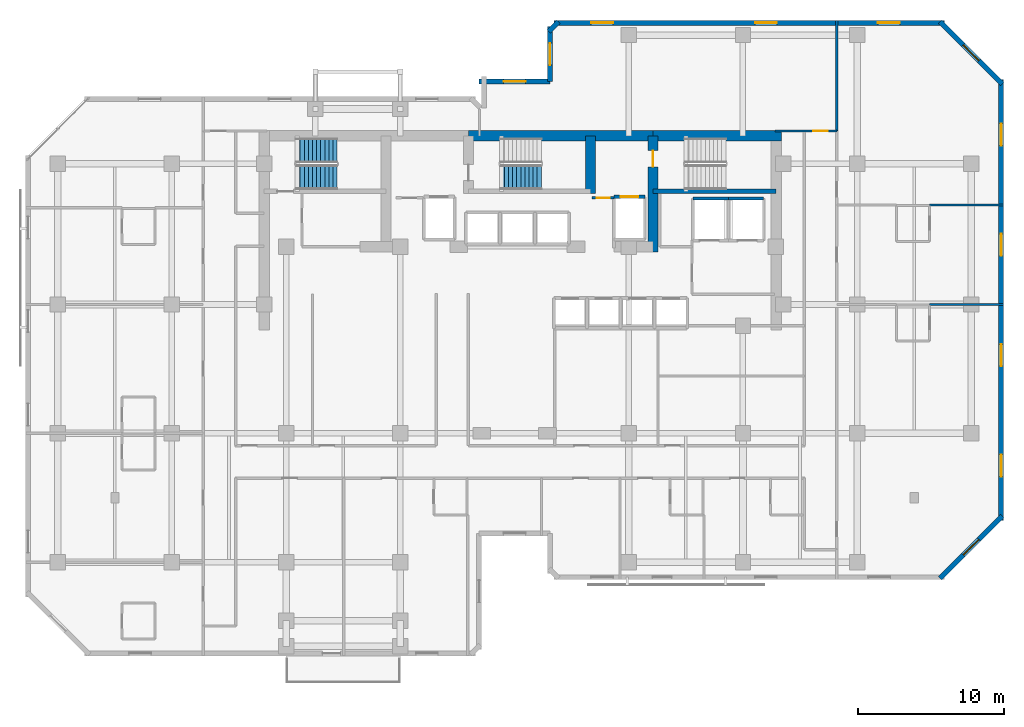
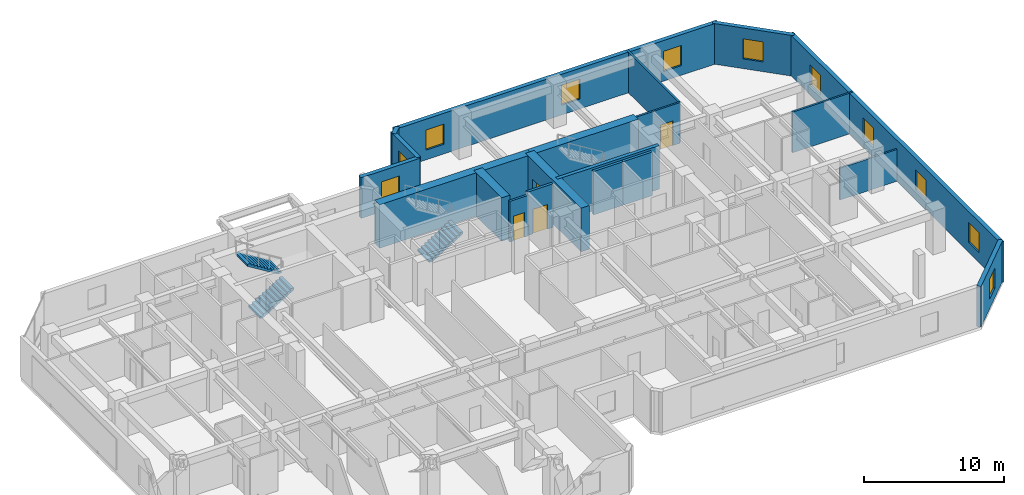
# One storey, part 8 of 11: 20 walls, 11 windows, 4 doors, 3 stair flights, 15 openings, 2 elements without a shape of their own.
"""IFC4 building model written with IfcOpenShell, lengths in metres."""

from ifc_helpers import new_model, si_unit, direction, frame, frame_2d, origin, place, context, subcontext, project, spatial, polyline, rectangle, outline, extrude, material, layer, layer_set, type_object, element, fill, aggregate, save


model = new_model("IFC4")

# Units and contexts
model_context = context("Model", 3, precision=1e-05, world=origin(), true_north=direction((0.0, 1.0)))
body_context = subcontext(model_context, "Body", "Model", "MODEL_VIEW")
ifc_project = project(units=[si_unit("LENGTHUNIT", "METRE"), si_unit("AREAUNIT", "SQUARE_METRE"), si_unit("VOLUMEUNIT", "CUBIC_METRE"), si_unit("PLANEANGLEUNIT", "RADIAN"), si_unit("MASSUNIT", "GRAM", prefix="KILO")], contexts=[model_context])

# Site, building, storey
site_placement = place(None, origin())
site = spatial("IfcSite", under=ifc_project, at=site_placement, CompositionType="ELEMENT")
building_placement = place(site_placement, origin())
building = spatial("IfcBuilding", under=site, at=building_placement, Name="Kestravale Grand Hotel", CompositionType="ELEMENT")
storey_placement = place(building_placement, frame((0.0, 0.0, 172.60009765625)))
storey = spatial("IfcBuildingStorey", under=building, at=storey_placement, Name="L43", CompositionType="ELEMENT", Elevation=172.60009765625)

# Walls
ifc_material_1 = material(Name="Concrete f'c 60 MPa", Category="concrete")
ifc_layer_1 = layer(ifc_material_1, 0.699951171875)
ifc_layer_set_1 = layer_set([ifc_layer_1], Name="EW-CORE-700")
wall_type_1 = type_object("IfcWallType", Name="EW-CORE-700", PredefinedType="SHEAR", material=ifc_layer_set_1)
wall_1_placement = place(storey_placement, frame((35.85009765625, 40.320068359375, 0.0), z_axis=(0.0, 0.0, 1.0), x_axis=(1.0, 0.0, 0.0)))
element("IfcWall", 1, at=wall_1_placement, inside=storey, type_object=wall_type_1, Name="L43 core shear wall N2", PredefinedType="SHEAR", context=body_context, shape_type="SweptSolid", body=[
    extrude(rectangle(XDim=12.599853515625, YDim=0.699951171875, at=frame_2d((6.2998046875, 0.0))), origin(), (0.0, 0.0, 1.0), 3.7998046875),
])
wall_2_placement = place(storey_placement, frame((48.449951171875, 40.320068359375, 0.0), z_axis=(0.0, 0.0, 1.0), x_axis=(1.0, 0.0, 0.0)))
element("IfcWall", 2, at=wall_2_placement, inside=storey, type_object=wall_type_1, Name="L43 core shear wall N3", PredefinedType="SHEAR", context=body_context, shape_type="SweptSolid", body=[
    extrude(rectangle(XDim=8.77001953125, YDim=0.699951171875, at=frame_2d((4.385009765625, 0.0))), origin(), (0.0, 0.0, 1.0), 3.7998046875),
])
wall_3_placement = place(storey_placement, frame((44.179931640625, 36.3701171875, 0.0), z_axis=(0.0, 0.0, 1.0), x_axis=(0.0, 1.0, 0.0)))
element("IfcWall", 3, at=wall_3_placement, inside=storey, type_object=wall_type_1, Name="L43 core shear wall X3", PredefinedType="SHEAR", context=body_context, shape_type="SweptSolid", body=[
    extrude(rectangle(XDim=3.949951171875, YDim=0.699951171875, at=frame_2d((1.97509765625, 0.0))), origin(), (0.0, 0.0, 1.0), 3.7998046875),
])

# Wall, opening, door
wall_4_placement = place(storey_placement, frame((48.449951171875, 32.39990234375, 0.0), z_axis=(0.0, 0.0, 1.0), x_axis=(0.0, 1.0, 0.0)))
wall_4 = element("IfcWall", 4, at=wall_4_placement, inside=storey, type_object=wall_type_1, Name="L43 core shear wall X4", PredefinedType="SHEAR", context=body_context, shape_type="SweptSolid", body=[
    extrude(rectangle(XDim=7.920166015625, YDim=0.699951171875, at=frame_2d((3.9599609375, 0.0))), origin(), (0.0, 0.0, 1.0), 3.7998046875),
])
opening_1_placement = place(wall_4_placement, frame((5.800048828125, 0.0, 0.0)))
opening_1 = element("IfcOpeningElement", 5, at=opening_1_placement, cuts=wall_4, Name="Opening D-ST-1100", PredefinedType="OPENING", context=body_context, shape_type="SweptSolid", body=[
    extrude(rectangle(XDim=1.10009765625, YDim=2.14990234375, at=frame_2d((0.550048828125, 1.074951171875))), frame((0.0, 0.35986328125, 0.0), z_axis=(0.0, -1.0, 0.0), x_axis=(1.0, 0.0, 0.0)), (0.0, 0.0, 1.0), 0.719970703125),
])
ifc_material_2 = material(Name="Galvanised 90-minute fire-rated steel stair door", Category="steel")
door_type_1 = type_object("IfcDoorType", Name="D-ST-1100", OperationType="NOTDEFINED", PredefinedType="DOOR", material=ifc_material_2)
door_1_placement = place(opening_1_placement, origin())
door_1 = element("IfcDoor", 6, at=door_1_placement, inside=storey, type_object=door_type_1, Name="L43 Stair ST-3 FSAE fire door", OperationType="SINGLE_SWING_RIGHT", OverallHeight=2.14990234375, OverallWidth=1.10009765625, PredefinedType="DOOR", context=body_context, shape_type="SweptSolid", body=[
    extrude(rectangle(XDim=1.10009765625, YDim=2.14990234375, at=frame_2d((0.550048828125, 1.074951171875))), frame((0.0, 0.02490234375, 0.0), z_axis=(0.0, -1.0, 0.0), x_axis=(1.0, 0.0, 0.0)), (0.0, 0.0, 1.0), 0.050048828125),
])
fill(opening_1, door_1)

# Wall, opening, window
ifc_material_3 = material(Name="Precast concrete f'c 45 MPa", Category="concrete")
ifc_layer_2 = layer(ifc_material_3, 0.340087890625)
ifc_layer_set_2 = layer_set([ifc_layer_2], Name="EW-PREC-340")
wall_type_2 = type_object("IfcWallType", Name="EW-PREC-340", PredefinedType="SOLIDWALL", material=ifc_layer_set_2)
wall_5_placement = place(storey_placement, frame((68.051513671875, 10.091796875, 0.0), z_axis=(0.0, 0.0, 1.0), x_axis=(0.707106781187, 0.707106781187, 0.0)))
wall_5 = element("IfcWall", 7, at=wall_5_placement, inside=storey, type_object=wall_type_2, Name="L43 fluted precast facade wall 8", PredefinedType="SOLIDWALL", context=body_context, shape_type="SweptSolid", body=[
    extrude(rectangle(XDim=6.019775390625, YDim=0.340087890625, at=frame_2d((3.009765625, 0.0))), origin(), (0.0, 0.0, 1.0), 3.5498046875),
])
opening_2_placement = place(wall_5_placement, frame((2.260009765625, 0.0, 0.85009765625)))
opening_2 = element("IfcOpeningElement", 8, at=opening_2_placement, cuts=wall_5, Name="Opening W-GUEST-1500", PredefinedType="OPENING", context=body_context, shape_type="SweptSolid", body=[
    extrude(rectangle(XDim=1.5, YDim=1.75, at=frame_2d((0.75, 0.875))), frame((0.0, 0.179931640625, 0.0), z_axis=(0.0, -1.0, 0.0), x_axis=(1.0, 0.0, 0.0)), (0.0, 0.0, 1.0), 0.360107421875),
])
ifc_material_4 = material(Name="Insulated low-E double glazing in aluminium frame", Category="aluminium")
window_type = type_object("IfcWindowType", Name="W-GUEST-1500", PartitioningType="SINGLE_PANEL", PredefinedType="WINDOW", material=ifc_material_4)
window_1_placement = place(opening_2_placement, origin())
window_1 = element("IfcWindow", 9, at=window_1_placement, inside=storey, type_object=window_type, Name="L43 exterior window 8.1", OverallHeight=1.75, OverallWidth=1.5, PartitioningType="SINGLE_PANEL", PredefinedType="WINDOW", context=body_context, shape_type="SweptSolid", body=[
    extrude(rectangle(XDim=1.5, YDim=1.75, at=frame_2d((0.75, 0.875))), frame((0.0, 0.030029296875, 0.0), z_axis=(0.0, -1.0, 0.0), x_axis=(1.0, 0.0, 0.0)), (0.0, 0.0, 1.0), 0.06005859375),
])
fill(opening_2, window_1)

# Wall, openings, windows
wall_6_placement = place(storey_placement, frame((72.22998046875, 14.030029296875, 0.0), z_axis=(0.0, 0.0, 1.0), x_axis=(0.0, 1.0, 0.0)))
wall_6 = element("IfcWall", 10, at=wall_6_placement, inside=storey, type_object=wall_type_2, Name="L43 fluted precast facade wall 9", PredefinedType="SOLIDWALL", context=body_context, shape_type="SweptSolid", body=[
    extrude(rectangle(XDim=30.139892578125, YDim=0.340087890625, at=frame_2d((15.06982421875, 0.0))), origin(), (0.0, 0.0, 1.0), 3.5498046875),
])
opening_3_placement = place(wall_6_placement, frame((3.017578125, 0.0, 0.85009765625)))
opening_3 = element("IfcOpeningElement", 11, at=opening_3_placement, cuts=wall_6, Name="Opening W-GUEST-1500", PredefinedType="OPENING", context=body_context, shape_type="SweptSolid", body=[
    extrude(rectangle(XDim=1.5, YDim=1.75, at=frame_2d((0.75, 0.875))), frame((0.0, 0.179931640625, 0.0), z_axis=(0.0, -1.0, 0.0), x_axis=(1.0, 0.0, 0.0)), (0.0, 0.0, 1.0), 0.360107421875),
])
opening_4_placement = place(wall_6_placement, frame((10.552490234375, 0.0, 0.85009765625)))
opening_4 = element("IfcOpeningElement", 12, at=opening_4_placement, cuts=wall_6, Name="Opening W-GUEST-1500", PredefinedType="OPENING", context=body_context, shape_type="SweptSolid", body=[
    extrude(rectangle(XDim=1.5, YDim=1.75, at=frame_2d((0.75, 0.875))), frame((0.0, 0.179931640625, 0.0), z_axis=(0.0, -1.0, 0.0), x_axis=(1.0, 0.0, 0.0)), (0.0, 0.0, 1.0), 0.360107421875),
])
opening_5_placement = place(wall_6_placement, frame((18.08740234375, 0.0, 0.85009765625)))
opening_5 = element("IfcOpeningElement", 13, at=opening_5_placement, cuts=wall_6, Name="Opening W-GUEST-1500", PredefinedType="OPENING", context=body_context, shape_type="SweptSolid", body=[
    extrude(rectangle(XDim=1.5, YDim=1.75, at=frame_2d((0.75, 0.875))), frame((0.0, 0.179931640625, 0.0), z_axis=(0.0, -1.0, 0.0), x_axis=(1.0, 0.0, 0.0)), (0.0, 0.0, 1.0), 0.360107421875),
])
opening_6_placement = place(wall_6_placement, frame((25.62255859375, 0.0, 0.85009765625)))
opening_6 = element("IfcOpeningElement", 14, at=opening_6_placement, cuts=wall_6, Name="Opening W-GUEST-1500", PredefinedType="OPENING", context=body_context, shape_type="SweptSolid", body=[
    extrude(rectangle(XDim=1.5, YDim=1.75, at=frame_2d((0.75, 0.875))), frame((0.0, 0.179931640625, 0.0), z_axis=(0.0, -1.0, 0.0), x_axis=(1.0, 0.0, 0.0)), (0.0, 0.0, 1.0), 0.360107421875),
])
window_2_placement = place(opening_3_placement, origin())
window_2 = element("IfcWindow", 15, at=window_2_placement, inside=storey, type_object=window_type, Name="L43 exterior window 9.1", OverallHeight=1.75, OverallWidth=1.5, PartitioningType="SINGLE_PANEL", PredefinedType="WINDOW", context=body_context, shape_type="SweptSolid", body=[
    extrude(rectangle(XDim=1.5, YDim=1.75, at=frame_2d((0.75, 0.875))), frame((0.0, 0.030029296875, 0.0), z_axis=(0.0, -1.0, 0.0), x_axis=(1.0, 0.0, 0.0)), (0.0, 0.0, 1.0), 0.06005859375),
])
fill(opening_3, window_2)
window_3_placement = place(opening_4_placement, origin())
window_3 = element("IfcWindow", 16, at=window_3_placement, inside=storey, type_object=window_type, Name="L43 exterior window 9.2", OverallHeight=1.75, OverallWidth=1.5, PartitioningType="SINGLE_PANEL", PredefinedType="WINDOW", context=body_context, shape_type="SweptSolid", body=[
    extrude(rectangle(XDim=1.5, YDim=1.75, at=frame_2d((0.75, 0.875))), frame((0.0, 0.030029296875, 0.0), z_axis=(0.0, -1.0, 0.0), x_axis=(1.0, 0.0, 0.0)), (0.0, 0.0, 1.0), 0.06005859375),
])
fill(opening_4, window_3)
window_4_placement = place(opening_5_placement, origin())
window_4 = element("IfcWindow", 17, at=window_4_placement, inside=storey, type_object=window_type, Name="L43 exterior window 9.3", OverallHeight=1.75, OverallWidth=1.5, PartitioningType="SINGLE_PANEL", PredefinedType="WINDOW", context=body_context, shape_type="SweptSolid", body=[
    extrude(rectangle(XDim=1.5, YDim=1.75, at=frame_2d((0.75, 0.875))), frame((0.0, 0.030029296875, 0.0), z_axis=(0.0, -1.0, 0.0), x_axis=(1.0, 0.0, 0.0)), (0.0, 0.0, 1.0), 0.06005859375),
])
fill(opening_5, window_4)
window_5_placement = place(opening_6_placement, origin())
window_5 = element("IfcWindow", 18, at=window_5_placement, inside=storey, type_object=window_type, Name="L43 exterior window 9.4", OverallHeight=1.75, OverallWidth=1.5, PartitioningType="SINGLE_PANEL", PredefinedType="WINDOW", context=body_context, shape_type="SweptSolid", body=[
    extrude(rectangle(XDim=1.5, YDim=1.75, at=frame_2d((0.75, 0.875))), frame((0.0, 0.030029296875, 0.0), z_axis=(0.0, -1.0, 0.0), x_axis=(1.0, 0.0, 0.0)), (0.0, 0.0, 1.0), 0.06005859375),
])
fill(opening_6, window_5)

# Wall, opening, window
wall_7_placement = place(storey_placement, frame((72.30810546875, 43.8515625, 0.0), z_axis=(0.0, 0.0, 1.0), x_axis=(-0.707106781187, 0.707106781187, 0.0)))
wall_7 = element("IfcWall", 19, at=wall_7_placement, inside=storey, type_object=wall_type_2, Name="L43 fluted precast facade wall 10", PredefinedType="SOLIDWALL", context=body_context, shape_type="SweptSolid", body=[
    extrude(rectangle(XDim=6.019775390625, YDim=0.340087890625, at=frame_2d((3.009765625, 0.0))), origin(), (0.0, 0.0, 1.0), 3.5498046875),
])
opening_7_placement = place(wall_7_placement, frame((2.260009765625, 0.0, 0.85009765625)))
opening_7 = element("IfcOpeningElement", 20, at=opening_7_placement, cuts=wall_7, Name="Opening W-GUEST-1500", PredefinedType="OPENING", context=body_context, shape_type="SweptSolid", body=[
    extrude(rectangle(XDim=1.5, YDim=1.75, at=frame_2d((0.75, 0.875))), frame((0.0, 0.179931640625, 0.0), z_axis=(0.0, -1.0, 0.0), x_axis=(1.0, 0.0, 0.0)), (0.0, 0.0, 1.0), 0.360107421875),
])
window_6_placement = place(opening_7_placement, origin())
window_6 = element("IfcWindow", 21, at=window_6_placement, inside=storey, type_object=window_type, Name="L43 exterior window 10.1", OverallHeight=1.75, OverallWidth=1.5, PartitioningType="SINGLE_PANEL", PredefinedType="WINDOW", context=body_context, shape_type="SweptSolid", body=[
    extrude(rectangle(XDim=1.5, YDim=1.75, at=frame_2d((0.75, 0.875))), frame((0.0, 0.030029296875, 0.0), z_axis=(0.0, -1.0, 0.0), x_axis=(1.0, 0.0, 0.0)), (0.0, 0.0, 1.0), 0.06005859375),
])
fill(opening_7, window_6)

# Wall, openings, windows
wall_8_placement = place(storey_placement, frame((68.3701171875, 48.030029296875, 0.0), z_axis=(0.0, 0.0, 1.0), x_axis=(-1.0, 0.0, 0.0)))
wall_8 = element("IfcWall", 22, at=wall_8_placement, inside=storey, type_object=wall_type_2, Name="L43 fluted precast facade wall 11", PredefinedType="SOLIDWALL", context=body_context, shape_type="SweptSolid", body=[
    extrude(rectangle(XDim=26.690185546875, YDim=0.340087890625, at=frame_2d((13.34521484375, 0.0))), origin(), (0.0, 0.0, 1.0), 3.5498046875),
])
opening_8_placement = place(wall_8_placement, frame((3.04833984375, 0.0, 0.85009765625)))
opening_8 = element("IfcOpeningElement", 23, at=opening_8_placement, cuts=wall_8, Name="Opening W-GUEST-1500", PredefinedType="OPENING", context=body_context, shape_type="SweptSolid", body=[
    extrude(rectangle(XDim=1.5, YDim=1.75, at=frame_2d((0.75, 0.875))), frame((0.0, 0.179931640625, 0.0), z_axis=(0.0, -1.0, 0.0), x_axis=(1.0, 0.0, 0.0)), (0.0, 0.0, 1.0), 0.360107421875),
])
opening_9_placement = place(wall_8_placement, frame((11.445068359375, 0.0, 0.85009765625)))
opening_9 = element("IfcOpeningElement", 24, at=opening_9_placement, cuts=wall_8, Name="Opening W-GUEST-1500", PredefinedType="OPENING", context=body_context, shape_type="SweptSolid", body=[
    extrude(rectangle(XDim=1.5, YDim=1.75, at=frame_2d((0.75, 0.875))), frame((0.0, 0.179931640625, 0.0), z_axis=(0.0, -1.0, 0.0), x_axis=(1.0, 0.0, 0.0)), (0.0, 0.0, 1.0), 0.360107421875),
])
opening_10_placement = place(wall_8_placement, frame((22.6416015625, 0.0, 0.85009765625)))
opening_10 = element("IfcOpeningElement", 25, at=opening_10_placement, cuts=wall_8, Name="Opening W-GUEST-1500", PredefinedType="OPENING", context=body_context, shape_type="SweptSolid", body=[
    extrude(rectangle(XDim=1.5, YDim=1.75, at=frame_2d((0.75, 0.875))), frame((0.0, 0.179931640625, 0.0), z_axis=(0.0, -1.0, 0.0), x_axis=(1.0, 0.0, 0.0)), (0.0, 0.0, 1.0), 0.360107421875),
])
window_7_placement = place(opening_8_placement, origin())
window_7 = element("IfcWindow", 26, at=window_7_placement, inside=storey, type_object=window_type, Name="L43 exterior window 11.1", OverallHeight=1.75, OverallWidth=1.5, PartitioningType="SINGLE_PANEL", PredefinedType="WINDOW", context=body_context, shape_type="SweptSolid", body=[
    extrude(rectangle(XDim=1.5, YDim=1.75, at=frame_2d((0.75, 0.875))), frame((0.0, 0.030029296875, 0.0), z_axis=(0.0, -1.0, 0.0), x_axis=(1.0, 0.0, 0.0)), (0.0, 0.0, 1.0), 0.06005859375),
])
fill(opening_8, window_7)
window_8_placement = place(opening_9_placement, origin())
window_8 = element("IfcWindow", 27, at=window_8_placement, inside=storey, type_object=window_type, Name="L43 exterior window 11.2", OverallHeight=1.75, OverallWidth=1.5, PartitioningType="SINGLE_PANEL", PredefinedType="WINDOW", context=body_context, shape_type="SweptSolid", body=[
    extrude(rectangle(XDim=1.5, YDim=1.75, at=frame_2d((0.75, 0.875))), frame((0.0, 0.030029296875, 0.0), z_axis=(0.0, -1.0, 0.0), x_axis=(1.0, 0.0, 0.0)), (0.0, 0.0, 1.0), 0.06005859375),
])
fill(opening_9, window_8)
window_9_placement = place(opening_10_placement, origin())
window_9 = element("IfcWindow", 28, at=window_9_placement, inside=storey, type_object=window_type, Name="L43 exterior window 11.3", OverallHeight=1.75, OverallWidth=1.5, PartitioningType="SINGLE_PANEL", PredefinedType="WINDOW", context=body_context, shape_type="SweptSolid", body=[
    extrude(rectangle(XDim=1.5, YDim=1.75, at=frame_2d((0.75, 0.875))), frame((0.0, 0.030029296875, 0.0), z_axis=(0.0, -1.0, 0.0), x_axis=(1.0, 0.0, 0.0)), (0.0, 0.0, 1.0), 0.06005859375),
])
fill(opening_10, window_9)

# Wall
wall_9_placement = place(storey_placement, frame((41.99853515625, 48.108154296875, 0.0), z_axis=(0.0, 0.0, 1.0), x_axis=(-0.707106781187, -0.707106781187, 0.0)))
element("IfcWall", 29, at=wall_9_placement, inside=storey, type_object=wall_type_2, Name="L43 fluted precast facade wall 12", PredefinedType="SOLIDWALL", context=body_context, shape_type="SweptSolid", body=[
    extrude(rectangle(XDim=0.9287109375, YDim=0.340087890625, at=frame_2d((0.46435546875, 0.0))), origin(), (0.0, 0.0, 1.0), 3.5498046875),
])

# Wall, opening, window
wall_10_placement = place(storey_placement, frame((41.419921875, 47.77001953125, 0.0), z_axis=(0.0, 0.0, 1.0), x_axis=(0.0, -1.0, 0.0)))
wall_10 = element("IfcWall", 30, at=wall_10_placement, inside=storey, type_object=wall_type_2, Name="L43 fluted precast facade wall 13", PredefinedType="SOLIDWALL", context=body_context, shape_type="SweptSolid", body=[
    extrude(rectangle(XDim=3.739990234375, YDim=0.340087890625, at=frame_2d((1.8701171875, 0.0))), origin(), (0.0, 0.0, 1.0), 3.5498046875),
])
opening_11_placement = place(wall_10_placement, frame((1.1201171875, 0.0, 0.85009765625)))
opening_11 = element("IfcOpeningElement", 31, at=opening_11_placement, cuts=wall_10, Name="Opening W-GUEST-1500", PredefinedType="OPENING", context=body_context, shape_type="SweptSolid", body=[
    extrude(rectangle(XDim=1.5, YDim=1.75, at=frame_2d((0.75, 0.875))), frame((0.0, 0.179931640625, 0.0), z_axis=(0.0, -1.0, 0.0), x_axis=(1.0, 0.0, 0.0)), (0.0, 0.0, 1.0), 0.360107421875),
])
window_10_placement = place(opening_11_placement, origin())
window_10 = element("IfcWindow", 32, at=window_10_placement, inside=storey, type_object=window_type, Name="L43 exterior window 13.1", OverallHeight=1.75, OverallWidth=1.5, PartitioningType="SINGLE_PANEL", PredefinedType="WINDOW", context=body_context, shape_type="SweptSolid", body=[
    extrude(rectangle(XDim=1.5, YDim=1.75, at=frame_2d((0.75, 0.875))), frame((0.0, 0.030029296875, 0.0), z_axis=(0.0, -1.0, 0.0), x_axis=(1.0, 0.0, 0.0)), (0.0, 0.0, 1.0), 0.06005859375),
])
fill(opening_11, window_10)

wall_11_placement = place(storey_placement, frame((41.419921875, 44.030029296875, 0.0), z_axis=(0.0, 0.0, 1.0), x_axis=(-1.0, 0.0, 0.0)))
wall_11 = element("IfcWall", 33, at=wall_11_placement, inside=storey, type_object=wall_type_2, Name="L43 fluted precast facade wall 14", PredefinedType="SOLIDWALL", context=body_context, shape_type="SweptSolid", body=[
    extrude(rectangle(XDim=4.83984375, YDim=0.340087890625, at=frame_2d((2.419921875, 0.0))), origin(), (0.0, 0.0, 1.0), 3.5498046875),
])
opening_12_placement = place(wall_11_placement, frame((1.669921875, 0.0, 0.85009765625)))
opening_12 = element("IfcOpeningElement", 34, at=opening_12_placement, cuts=wall_11, Name="Opening W-GUEST-1500", PredefinedType="OPENING", context=body_context, shape_type="SweptSolid", body=[
    extrude(rectangle(XDim=1.5, YDim=1.75, at=frame_2d((0.75, 0.875))), frame((0.0, 0.179931640625, 0.0), z_axis=(0.0, -1.0, 0.0), x_axis=(1.0, 0.0, 0.0)), (0.0, 0.0, 1.0), 0.360107421875),
])
window_11_placement = place(opening_12_placement, origin())
window_11 = element("IfcWindow", 35, at=window_11_placement, inside=storey, type_object=window_type, Name="L43 exterior window 14.1", OverallHeight=1.75, OverallWidth=1.5, PartitioningType="SINGLE_PANEL", PredefinedType="WINDOW", context=body_context, shape_type="SweptSolid", body=[
    extrude(rectangle(XDim=1.5, YDim=1.75, at=frame_2d((0.75, 0.875))), frame((0.0, 0.030029296875, 0.0), z_axis=(0.0, -1.0, 0.0), x_axis=(1.0, 0.0, 0.0)), (0.0, 0.0, 1.0), 0.06005859375),
])
fill(opening_12, window_11)

# Wall
ifc_material_5 = material(Name="Concrete f'c 45 MPa", Category="concrete")
ifc_layer_3 = layer(ifc_material_5, 0.300048828125)
ifc_layer_set_3 = layer_set([ifc_layer_3], Name="EW-STAIR-300")
wall_type_3 = type_object("IfcWallType", Name="EW-STAIR-300", PredefinedType="SHEAR", material=ifc_layer_set_3)
wall_12_placement = place(storey_placement, frame((48.449951171875, 36.52001953125, 0.0), z_axis=(0.0, 0.0, 1.0), x_axis=(1.0, 0.0, 0.0)))
element("IfcWall", 36, at=wall_12_placement, inside=storey, type_object=wall_type_3, Name="L43 stair enclosure shear wall SST3", PredefinedType="SHEAR", context=body_context, shape_type="SweptSolid", body=[
    extrude(rectangle(XDim=8.420166015625, YDim=0.300048828125, at=frame_2d((4.2099609375, 0.0))), origin(), (0.0, 0.0, 1.0), 3.7998046875),
])

# Wall, opening, door
ifc_material_6 = material(Name="Fire-rated gypsum board on steel studs with mineral wool", Category="steel")
ifc_layer_4 = layer(ifc_material_6, 0.179931640625)
ifc_layer_set_4 = layer_set([ifc_layer_4], Name="IW-FSAE-180")
wall_type_4 = type_object("IfcWallType", Name="IW-FSAE-180", PredefinedType="PARTITIONING", material=ifc_layer_set_4)
wall_13_placement = place(storey_placement, frame((44.300048828125, 36.080078125, 0.0), z_axis=(0.0, 0.0, 1.0), x_axis=(1.0, 0.0, 0.0)))
wall_13 = element("IfcWall", 37, at=wall_13_placement, inside=storey, type_object=wall_type_4, Name="L43 FSAE Lobby 2 smoke barrier", PredefinedType="PARTITIONING", context=body_context, shape_type="SweptSolid", body=[
    extrude(rectangle(XDim=1.5, YDim=0.179931640625, at=frame_2d((0.75, 0.0))), origin(), (0.0, 0.0, 1.0), 3.5498046875),
])
opening_13_placement = place(wall_13_placement, frame((0.300048828125, 0.0, 0.0)))
opening_13 = element("IfcOpeningElement", 38, at=opening_13_placement, cuts=wall_13, Name="Opening D-FSAE-1000", PredefinedType="OPENING", context=body_context, shape_type="SweptSolid", body=[
    extrude(rectangle(XDim=0.89990234375, YDim=2.14990234375, at=frame_2d((0.449951171875, 1.074951171875))), frame((0.0, 0.099853515625, 0.0), z_axis=(0.0, -1.0, 0.0), x_axis=(1.0, 0.0, 0.0)), (0.0, 0.0, 1.0), 0.199951171875),
])
ifc_material_7 = material(Name="Smoke-gasketed FSAE lobby fire door", Category="steel")
door_type_2 = type_object("IfcDoorType", Name="D-FSAE-1000", OperationType="NOTDEFINED", PredefinedType="DOOR", material=ifc_material_7)
door_2_placement = place(opening_13_placement, origin())
door_2 = element("IfcDoor", 39, at=door_2_placement, inside=storey, type_object=door_type_2, Name="L43 FSAE Lobby 2 fire door", OperationType="SINGLE_SWING_LEFT", OverallHeight=2.14990234375, OverallWidth=0.89990234375, PredefinedType="DOOR", context=body_context, shape_type="SweptSolid", body=[
    extrude(rectangle(XDim=0.89990234375, YDim=2.14990234375, at=frame_2d((0.449951171875, 1.074951171875))), frame((0.0, 0.02490234375, 0.0), z_axis=(0.0, -1.0, 0.0), x_axis=(1.0, 0.0, 0.0)), (0.0, 0.0, 1.0), 0.050048828125),
])
fill(opening_13, door_2)

# Walls
ifc_material_8 = material(Name="Concrete f'c 45 MPa", Category="concrete")
ifc_layer_5 = layer(ifc_material_8, 0.219970703125)
ifc_layer_set_5 = layer_set([ifc_layer_5], Name="IW-SHAFT-220")
wall_type_5 = type_object("IfcWallType", Name="IW-SHAFT-220", PredefinedType="SHEAR", material=ifc_layer_set_5)
wall_14_placement = place(storey_placement, frame((51.179931640625, 36.030029296875, 0.0), z_axis=(0.0, 0.0, 1.0), x_axis=(1.0, 0.0, 0.0)))
element("IfcWall", 40, at=wall_14_placement, inside=storey, type_object=wall_type_5, Name="L43 SL-1 north shaft wall", PredefinedType="SHEAR", context=body_context, shape_type="SweptSolid", body=[
    extrude(rectangle(XDim=2.420166015625, YDim=0.219970703125, at=frame_2d((1.2099609375, 0.0))), origin(), (0.0, 0.0, 1.0), 3.7998046875),
])
wall_15_placement = place(storey_placement, frame((53.60009765625, 36.030029296875, 0.0), z_axis=(0.0, 0.0, 1.0), x_axis=(1.0, 0.0, 0.0)))
element("IfcWall", 41, at=wall_15_placement, inside=storey, type_object=wall_type_5, Name="L43 SL-2 north shaft wall", PredefinedType="SHEAR", context=body_context, shape_type="SweptSolid", body=[
    extrude(rectangle(XDim=2.419921875, YDim=0.219970703125, at=frame_2d((1.2099609375, 0.0))), origin(), (0.0, 0.0, 1.0), 3.7998046875),
])

# Wall, opening, door
wall_16_placement = place(storey_placement, frame((45.804931640625, 36.155029296875, 0.0), z_axis=(0.0, 0.0, 1.0), x_axis=(1.0, 0.0, 0.0)))
wall_16 = element("IfcWall", 42, at=wall_16_placement, inside=storey, type_object=wall_type_5, Name="L43 FL-2 north shaft wall", PredefinedType="SHEAR", context=body_context, shape_type="SweptSolid", body=[
    extrude(rectangle(XDim=2.090087890625, YDim=0.219970703125, at=frame_2d((1.044921875, 0.0))), origin(), (0.0, 0.0, 1.0), 3.7998046875),
])
opening_14_placement = place(wall_16_placement, frame((0.445068359375, 0.0, 0.0)))
opening_14 = element("IfcOpeningElement", 43, at=opening_14_placement, cuts=wall_16, Name="Opening LD-FSAE-1200", PredefinedType="OPENING", context=body_context, shape_type="SweptSolid", body=[
    extrude(rectangle(XDim=1.199951171875, YDim=2.14990234375, at=frame_2d((0.60009765625, 1.074951171875))), frame((0.0, 0.119873046875, 0.0), z_axis=(0.0, -1.0, 0.0), x_axis=(1.0, 0.0, 0.0)), (0.0, 0.0, 1.0), 0.239990234375),
])
ifc_material_9 = material(Name="Stainless fire-service sliding elevator landing door", Category="steel")
door_type_3 = type_object("IfcDoorType", Name="LD-FSAE-1200", OperationType="NOTDEFINED", PredefinedType="DOOR", material=ifc_material_9)
door_3_placement = place(opening_14_placement, origin())
door_3 = element("IfcDoor", 44, at=door_3_placement, inside=storey, type_object=door_type_3, Name="L43 FL-2 elevator landing sliding door", OperationType="DOUBLE_DOOR_SLIDING", OverallHeight=2.14990234375, OverallWidth=1.199951171875, PredefinedType="DOOR", context=body_context, shape_type="SweptSolid", body=[
    extrude(rectangle(XDim=1.199951171875, YDim=2.14990234375, at=frame_2d((0.60009765625, 1.074951171875))), frame((0.0, 0.02490234375, 0.0), z_axis=(0.0, -1.0, 0.0), x_axis=(1.0, 0.0, 0.0)), (0.0, 0.0, 1.0), 0.050048828125),
])
fill(opening_14, door_3)

ifc_material_10 = material(Name="Double-stud STC 52 acoustic demising partition", Category="other")
ifc_layer_6 = layer(ifc_material_10, 0.14990234375)
ifc_layer_set_6 = layer_set([ifc_layer_6], Name="IW-UNIT-150")
wall_type_6 = type_object("IfcWallType", Name="IW-UNIT-150", PredefinedType="PARTITIONING", material=ifc_layer_set_6)
wall_17_placement = place(storey_placement, frame((56.800048828125, 40.64990234375, 0.0), z_axis=(0.0, 0.0, 1.0), x_axis=(1.0, 0.0, 0.0)))
wall_17 = element("IfcWall", 45, at=wall_17_placement, inside=storey, type_object=wall_type_6, Name="W-L43-SE-N", PredefinedType="PARTITIONING", context=body_context, shape_type="SweptSolid", body=[
    extrude(rectangle(XDim=4.2099609375, YDim=0.14990234375, at=frame_2d((2.10498046875, 0.0))), origin(), (0.0, 0.0, 1.0), 3.5498046875),
])
opening_15_placement = place(wall_17_placement, frame((2.60009765625, 0.0, 0.0)))
opening_15 = element("IfcOpeningElement", 46, at=opening_15_placement, cuts=wall_17, Name="Opening D-GUEST-1000", PredefinedType="OPENING", context=body_context, shape_type="SweptSolid", body=[
    extrude(rectangle(XDim=1.0, YDim=2.14990234375, at=frame_2d((0.5, 1.074951171875))), frame((0.0, 0.0849609375, 0.0), z_axis=(0.0, -1.0, 0.0), x_axis=(1.0, 0.0, 0.0)), (0.0, 0.0, 1.0), 0.169921875),
])
ifc_material_11 = material(Name="Accessible walnut veneer hotel entrance fire door", Category="wood")
door_type_4 = type_object("IfcDoorType", Name="D-GUEST-1000", OperationType="NOTDEFINED", PredefinedType="DOOR", material=ifc_material_11)
door_4_placement = place(opening_15_placement, origin())
door_4 = element("IfcDoor", 47, at=door_4_placement, inside=storey, type_object=door_type_4, Name="L43 NE Gallery Door", OperationType="SINGLE_SWING_LEFT", OverallHeight=2.14990234375, OverallWidth=1.0, PredefinedType="DOOR", context=body_context, shape_type="SweptSolid", body=[
    extrude(rectangle(XDim=1.0, YDim=2.14990234375, at=frame_2d((0.5, 1.074951171875))), frame((0.0, 0.02490234375, 0.0), z_axis=(0.0, -1.0, 0.0), x_axis=(1.0, 0.0, 0.0)), (0.0, 0.0, 1.0), 0.050048828125),
])
fill(opening_15, door_4)

# Walls
wall_18_placement = place(storey_placement, frame((61.010009765625, 40.64990234375, 0.0), z_axis=(0.0, 0.0, 1.0), x_axis=(0.0, 1.0, 0.0)))
element("IfcWall", 48, at=wall_18_placement, inside=storey, type_object=wall_type_6, Name="W-L43-NGE-E", PredefinedType="PARTITIONING", context=body_context, shape_type="SweptSolid", body=[
    extrude(rectangle(XDim=7.530029296875, YDim=0.14990234375, at=frame_2d((3.76513671875, 0.0))), origin(), (0.0, 0.0, 1.0), 3.5498046875),
])
wall_19_placement = place(storey_placement, frame((67.35009765625, 28.800048828125, 0.0), z_axis=(0.0, 0.0, 1.0), x_axis=(1.0, 0.0, 0.0)))
element("IfcWall", 49, at=wall_19_placement, inside=storey, type_object=wall_type_6, Name="W-L43-EW-1", PredefinedType="PARTITIONING", context=body_context, shape_type="SweptSolid", body=[
    extrude(rectangle(XDim=5.02978515625, YDim=0.14990234375, at=frame_2d((2.514892578125, 0.0))), origin(), (0.0, 0.0, 1.0), 2.77783203125),
])
wall_20_placement = place(storey_placement, frame((67.35009765625, 35.60009765625, 0.0), z_axis=(0.0, 0.0, 1.0), x_axis=(1.0, 0.0, 0.0)))
element("IfcWall", 50, at=wall_20_placement, inside=storey, type_object=wall_type_6, Name="W-L43-EW-2", PredefinedType="PARTITIONING", context=body_context, shape_type="SweptSolid", body=[
    extrude(rectangle(XDim=5.02978515625, YDim=0.14990234375, at=frame_2d((2.514892578125, 0.0))), origin(), (0.0, 0.0, 1.0), 3.5498046875),
])

# Stair, stair flights
ifc_material_12 = material(Name="Concrete f'c 45 MPa", Category="concrete")
stair_type = type_object("IfcStairType", Name="ST-CORE-380", PredefinedType="HALF_TURN_STAIR", material=ifc_material_12)
stair_1_placement = place(storey_placement, origin())
stair_1 = element("IfcStair", 51, at=stair_1_placement, inside=storey, type_object=stair_type, Name="L43 ST-1", PredefinedType="HALF_TURN_STAIR")
ifc_material_13 = material(Name="Concrete f'c 45 MPa", Category="concrete")
stair_flight_type = type_object("IfcStairFlightType", Name="STF-CORE-380", PredefinedType="STRAIGHT", material=ifc_material_13)
stair_flight_1_placement = place(storey_placement, frame((24.080078125, 37.489990234375, 0.0), z_axis=(0.0, 0.0, 1.0), x_axis=(1.0, 0.0, 0.0)))
stair_flight_1 = element("IfcStairFlight", 52, at=stair_flight_1_placement, type_object=stair_flight_type, Name="ST-1 flight 1", NumberOfRisers=11, NumberOfTreads=10, PredefinedType="STRAIGHT", RiserHeight=0.172727273, TreadLength=0.28, context=body_context, shape_type="SweptSolid", body=[
    extrude(outline(polyline([(0.0, 0.0), (0.0, 0.172607421875), (0.280029296875, 0.172607421875), (0.280029296875, 0.345458984375), (0.56005859375, 0.345458984375), (0.56005859375, 0.51806640625), (0.840087890625, 0.51806640625), (0.840087890625, 0.69091796875), (1.1201171875, 0.69091796875), (1.1201171875, 0.863525390625), (1.39990234375, 0.863525390625), (1.39990234375, 1.036376953125), (1.679931640625, 1.036376953125), (1.679931640625, 1.208984375), (1.9599609375, 1.208984375), (1.9599609375, 1.3818359375), (2.239990234375, 1.3818359375), (2.239990234375, 1.554443359375), (2.52001953125, 1.554443359375), (2.52001953125, 1.727294921875), (2.800048828125, 1.727294921875), (2.800048828125, 1.89990234375), (2.800048828125, 1.551025390625), (0.285400390625, 0.0), (0.0, 0.0)])), frame((0.0, 0.83984375, 0.0), z_axis=(0.0, -1.0, 0.0), x_axis=(1.0, 0.0, 0.0)), (0.0, 0.0, 1.0), 1.679931640625),
])
stair_flight_2_placement = place(storey_placement, frame((26.8798828125, 39.320068359375, 1.89990234375), z_axis=(0.0, 0.0, 1.0), x_axis=(-1.0, 0.0, 0.0)))
stair_flight_2 = element("IfcStairFlight", 53, at=stair_flight_2_placement, type_object=stair_flight_type, Name="ST-1 flight 2", NumberOfRisers=11, NumberOfTreads=10, PredefinedType="STRAIGHT", RiserHeight=0.172727273, TreadLength=0.28, context=body_context, shape_type="SweptSolid", body=[
    extrude(outline(polyline([(0.0, 0.0), (0.0, 0.172607421875), (0.280029296875, 0.172607421875), (0.280029296875, 0.345458984375), (0.56005859375, 0.345458984375), (0.56005859375, 0.51806640625), (0.840087890625, 0.51806640625), (0.840087890625, 0.69091796875), (1.1201171875, 0.69091796875), (1.1201171875, 0.863525390625), (1.39990234375, 0.863525390625), (1.39990234375, 1.036376953125), (1.679931640625, 1.036376953125), (1.679931640625, 1.208984375), (1.9599609375, 1.208984375), (1.9599609375, 1.3818359375), (2.239990234375, 1.3818359375), (2.239990234375, 1.554443359375), (2.52001953125, 1.554443359375), (2.52001953125, 1.727294921875), (2.800048828125, 1.727294921875), (2.800048828125, 1.89990234375), (2.800048828125, 1.551025390625), (0.285400390625, 0.0), (0.0, 0.0)])), frame((0.0, 0.83984375, 0.0), z_axis=(0.0, -1.0, 0.0), x_axis=(1.0, 0.0, 0.0)), (0.0, 0.0, 1.0), 1.679931640625),
])
aggregate(stair_1, [stair_flight_1, stair_flight_2])

# Stair, stair flight
stair_2_placement = place(storey_placement, origin())
stair_2 = element("IfcStair", 54, at=stair_2_placement, inside=storey, type_object=stair_type, Name="L43 ST-2", PredefinedType="HALF_TURN_STAIR")
stair_flight_3_placement = place(storey_placement, frame((38.030029296875, 37.489990234375, 0.0), z_axis=(0.0, 0.0, 1.0), x_axis=(1.0, 0.0, 0.0)))
stair_flight_3 = element("IfcStairFlight", 55, at=stair_flight_3_placement, type_object=stair_flight_type, Name="ST-2 flight 1", NumberOfRisers=11, NumberOfTreads=10, PredefinedType="STRAIGHT", RiserHeight=0.172727273, TreadLength=0.28, context=body_context, shape_type="SweptSolid", body=[
    extrude(outline(polyline([(0.0, 0.0), (0.0, 0.172607421875), (0.280029296875, 0.172607421875), (0.280029296875, 0.345458984375), (0.56005859375, 0.345458984375), (0.56005859375, 0.51806640625), (0.840087890625, 0.51806640625), (0.840087890625, 0.69091796875), (1.1201171875, 0.69091796875), (1.1201171875, 0.863525390625), (1.39990234375, 0.863525390625), (1.39990234375, 1.036376953125), (1.679931640625, 1.036376953125), (1.679931640625, 1.208984375), (1.9599609375, 1.208984375), (1.9599609375, 1.3818359375), (2.239990234375, 1.3818359375), (2.239990234375, 1.554443359375), (2.52001953125, 1.554443359375), (2.52001953125, 1.727294921875), (2.800048828125, 1.727294921875), (2.800048828125, 1.89990234375), (2.800048828125, 1.551025390625), (0.285400390625, 0.0), (0.0, 0.0)])), frame((0.0, 0.83984375, 0.0), z_axis=(0.0, -1.0, 0.0), x_axis=(1.0, 0.0, 0.0)), (0.0, 0.0, 1.0), 1.679931640625),
])
aggregate(stair_2, [stair_flight_3])

save(model, "model.ifc")
